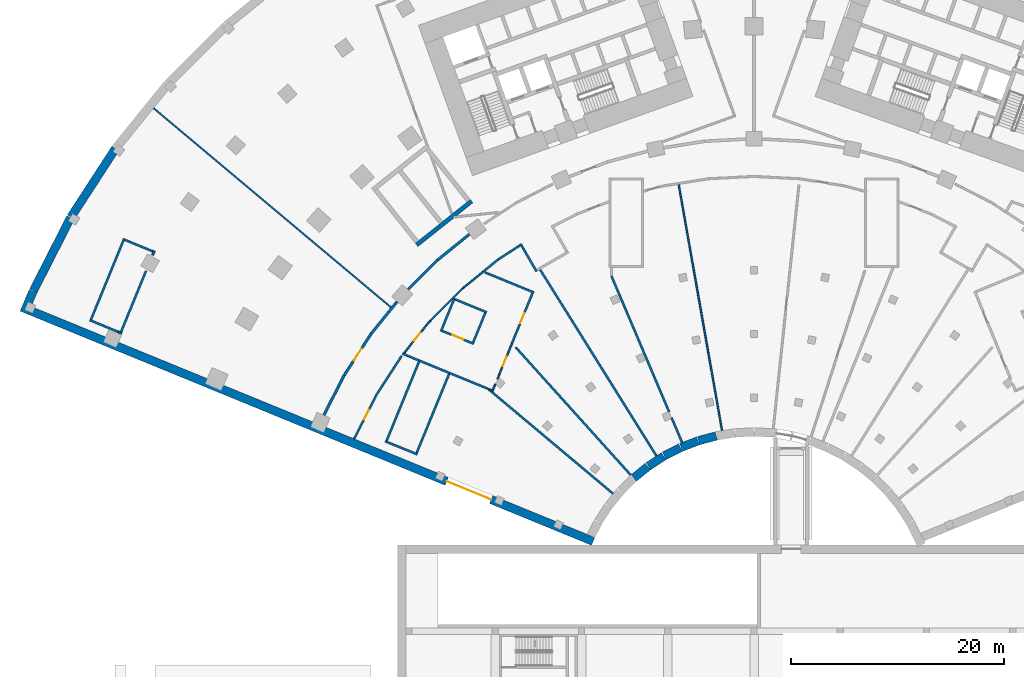
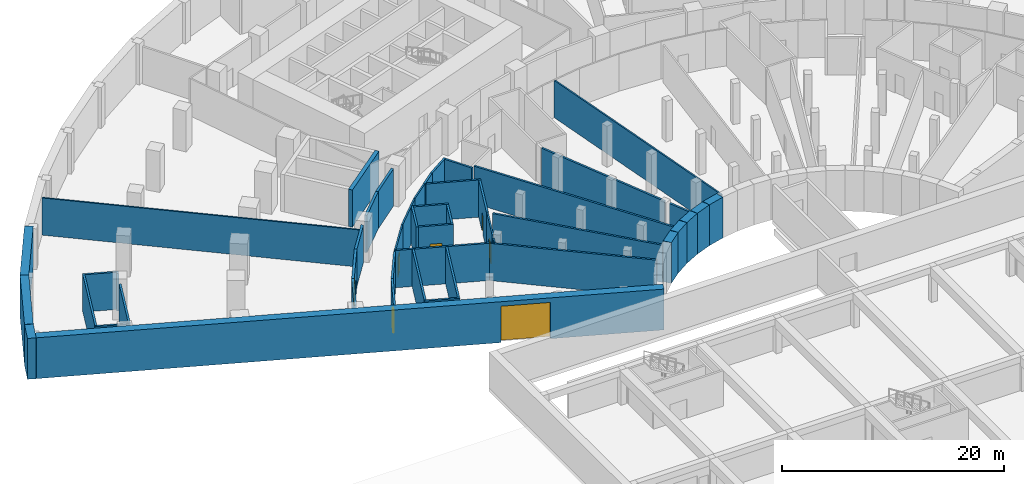
# One storey, part 7 of 23: 51 walls, 7 doors, 7 openings.
"""IFC4 building model written with IfcOpenShell, lengths in metres."""

from ifc_helpers import new_model, si_unit, direction, frame, frame_2d, origin, place, context, subcontext, project, spatial, rectangle, extrude, material, layer, layer_set, type_object, element, fill, save


model = new_model("IFC4")

# Units and contexts
model_context = context("Model", 3, precision=1e-05, world=origin(), true_north=direction((0.0, 1.0)))
body_context = subcontext(model_context, "Body", "Model", "MODEL_VIEW")
ifc_project = project(units=[si_unit("LENGTHUNIT", "METRE"), si_unit("AREAUNIT", "SQUARE_METRE"), si_unit("VOLUMEUNIT", "CUBIC_METRE"), si_unit("PLANEANGLEUNIT", "RADIAN"), si_unit("MASSUNIT", "GRAM", prefix="KILO")], contexts=[model_context])

# Site, building, storey
site_placement = place(None, origin())
site = spatial("IfcSite", under=ifc_project, at=site_placement, CompositionType="ELEMENT")
building_placement = place(site_placement, origin())
building = spatial("IfcBuilding", under=site, at=building_placement, Name="Stone Belt Terrace Tower", CompositionType="ELEMENT")
storey_placement = place(building_placement, frame((0.0, 0.0, -4.5)))
storey = spatial("IfcBuildingStorey", under=building, at=storey_placement, Name="B1", CompositionType="ELEMENT", Elevation=-4.5)

# Walls
ifc_material_1 = material(Name="Concrete B30", Category="concrete")
ifc_layer_1 = layer(ifc_material_1, 0.800048828125)
ifc_layer_set_1 = layer_set([ifc_layer_1], Name="Basement wall 800 B30")
wall_type_1 = type_object("IfcWallType", Name="Basement wall 800 B30", PredefinedType="SHEAR", material=ifc_layer_set_1)
for number, where, z_axis, x_axis, name in (
    (1, (-11.29248046875, 12.57275390625, 0.0), (0.0, 0.0, 1.0), (0.777159277127, 0.629303947211, 0.0), "Basement wall B1 5"),
    (2, (-9.916259765625, 13.68408203125, 0.0), (0.0, 0.0, 1.0), (0.83855986691, 0.544809461745, 0.0), "Basement wall B1 6"),
    (3, (-8.431640625, 14.645751953125, 0.0), (0.0, 0.0, 1.0), (0.890980157198, 0.454042244157, 0.0), "Basement wall B1 7"),
    (4, (-6.8544921875, 15.447021484375, 0.0), (0.0, 0.0, 1.0), (0.933582227874, 0.358363256763, 0.0), "Basement wall B1 8"),
    (5, (-5.202392578125, 16.078857421875, 0.0), (0.0, 0.0, 1.0), (0.965922180197, 0.258832652121, 0.0), "Basement wall B1 9"),
):
    element("IfcWall", number, at=place(storey_placement, frame(where, z_axis=z_axis, x_axis=x_axis)), inside=storey, type_object=wall_type_1, Name=name, PredefinedType="SHEAR", context=body_context, shape_type="SweptSolid", body=[
        extrude(rectangle(XDim=1.72705078125, YDim=0.800048828125, at=frame_2d((0.863525390625, 0.0))), origin(), (0.0, 0.0, 1.0), 4.5),
    ])
wall_1_placement = place(storey_placement, frame((-59.958984375, 43.537109375, 0.0), z_axis=(0.0, 0.0, 1.0), x_axis=(-0.544654589696, -0.838660466412, 0.0)))
element("IfcWall", 6, at=wall_1_placement, inside=storey, type_object=wall_type_1, Name="Basement wall B1 45", PredefinedType="SHEAR", context=body_context, shape_type="SweptSolid", body=[
    extrude(rectangle(XDim=7.71435546875, YDim=0.800048828125, at=frame_2d((3.857177734375, 0.0))), origin(), (0.0, 0.0, 1.0), 4.5),
])
wall_2_placement = place(storey_placement, frame((-64.181396484375, 37.031005859375, 0.0), z_axis=(0.0, 0.0, 1.0), x_axis=(-0.453998176185, -0.891002612803, 0.0)))
element("IfcWall", 7, at=wall_2_placement, inside=storey, type_object=wall_type_1, Name="Basement wall B1 46", PredefinedType="SHEAR", context=body_context, shape_type="SweptSolid", body=[
    extrude(rectangle(XDim=7.729248046875, YDim=0.800048828125, at=frame_2d((3.86474609375, 0.0))), origin(), (0.0, 0.0, 1.0), 4.5),
])
wall_3_placement = place(storey_placement, frame((-67.701904296875, 30.119873046875, 0.0), z_axis=(0.0, 0.0, 1.0), x_axis=(-0.39301958046, -0.919530102485, 0.0)))
element("IfcWall", 8, at=wall_3_placement, inside=storey, type_object=wall_type_1, Name="Basement wall B1 47", PredefinedType="SHEAR", context=body_context, shape_type="SweptSolid", body=[
    extrude(rectangle(XDim=2.194580078125, YDim=0.800048828125, at=frame_2d((1.09716796875, 0.0))), origin(), (0.0, 0.0, 1.0), 4.5),
])

# Wall, opening, door
wall_4_placement = place(storey_placement, frame((-68.037109375, 28.318115234375, 0.0), z_axis=(0.0, 0.0, 1.0), x_axis=(0.925297576328, -0.37924186905, 0.0)))
wall_4 = element("IfcWall", 9, at=wall_4_placement, inside=storey, type_object=wall_type_1, Name="Basement wall B1 48", PredefinedType="SHEAR", context=body_context, shape_type="SweptSolid", body=[
    extrude(rectangle(XDim=57.199951171875, YDim=0.800048828125, at=frame_2d((28.60009765625, 0.0))), origin(), (0.0, 0.0, 1.0), 4.5),
])
opening_1_placement = place(wall_4_placement, frame((42.343994140625, 0.0, 0.0)))
opening_1 = element("IfcOpeningElement", 10, at=opening_1_placement, cuts=wall_4, Name="Opening B1-E01", PredefinedType="OPENING", context=body_context, shape_type="SweptSolid", body=[
    extrude(rectangle(XDim=4.5, YDim=4.0, at=frame_2d((2.25, 2.0))), frame((0.0, 0.409912109375, 0.0), z_axis=(0.0, -1.0, 0.0), x_axis=(1.0, 0.0, 0.0)), (0.0, 0.0, 1.0), 0.820068359375),
])
ifc_material_2 = material(Name="Galvanised steel roller shutter", Category="steel")
door_type_1 = type_object("IfcDoorType", Name="Loading dock vehicle door 4500 x 4000", OperationType="ROLLINGUP", PredefinedType="DOOR", material=ifc_material_2)
door_1_placement = place(opening_1_placement, origin())
door_1 = element("IfcDoor", 11, at=door_1_placement, inside=storey, type_object=door_type_1, Name="Loading dock vehicle door", OperationType="ROLLINGUP", OverallHeight=4.0, OverallWidth=4.5, PredefinedType="DOOR", context=body_context, shape_type="SweptSolid", body=[
    extrude(rectangle(XDim=4.5, YDim=4.0, at=frame_2d((2.25, 2.0))), frame((0.0, 0.02490234375, 0.0), z_axis=(0.0, -1.0, 0.0), x_axis=(1.0, 0.0, 0.0)), (0.0, 0.0, 1.0), 0.050048828125),
])
fill(opening_1, door_1)

# Wall
ifc_layer_2 = layer(ifc_material_1, 0.25)
ifc_layer_set_2 = layer_set([ifc_layer_2], Name="Compartment wall 250")
wall_type_2 = type_object("IfcWallType", Name="Compartment wall 250", PredefinedType="SOLIDWALL", material=ifc_layer_set_2)
wall_5_placement = place(storey_placement, frame((-40.39208984375, 18.488037109375, 0.0), z_axis=(0.0, 0.0, 1.0), x_axis=(0.454112038916, 0.890944586443, 0.0)))
element("IfcWall", 12, at=wall_5_placement, inside=storey, type_object=wall_type_2, Name="Compartment wall B1 1", PredefinedType="SOLIDWALL", context=body_context, shape_type="SweptSolid", body=[
    extrude(rectangle(XDim=4.18212890625, YDim=0.25, at=frame_2d((2.091064453125, 0.0))), origin(), (0.0, 0.0, 1.0), 4.10009765625),
])

# Wall, opening, door
wall_6_placement = place(storey_placement, frame((-38.486572265625, 22.2255859375, 0.0), z_axis=(0.0, 0.0, 1.0), x_axis=(0.544253220019, 0.838920993002, 0.0)))
wall_6 = element("IfcWall", 13, at=wall_6_placement, inside=storey, type_object=wall_type_2, Name="Compartment wall B1 2", PredefinedType="SOLIDWALL", context=body_context, shape_type="SweptSolid", body=[
    extrude(rectangle(XDim=4.635498046875, YDim=0.25, at=frame_2d((2.31787109375, 0.0))), origin(), (0.0, 0.0, 1.0), 4.10009765625),
])
opening_2_placement = place(wall_6_placement, frame((1.667724609375, 0.0, 0.0)))
opening_2 = element("IfcOpeningElement", 14, at=opening_2_placement, cuts=wall_6, Name="Opening B1-P14", PredefinedType="OPENING", context=body_context, shape_type="SweptSolid", body=[
    extrude(rectangle(XDim=1.300048828125, YDim=2.10009765625, at=frame_2d((0.64990234375, 1.050048828125))), frame((0.0, 0.135009765625, 0.0), z_axis=(0.0, -1.0, 0.0), x_axis=(1.0, 0.0, 0.0)), (0.0, 0.0, 1.0), 0.27001953125),
])
ifc_material_3 = material(Name="Steel framed fire door leaf", Category="steel")
door_type_2 = type_object("IfcDoorType", Name="Fire door 1300 x 2100 EI 60", OperationType="SINGLE_SWING_LEFT", PredefinedType="DOOR", material=ifc_material_3)
door_2_placement = place(opening_2_placement, origin())
door_2 = element("IfcDoor", 15, at=door_2_placement, inside=storey, type_object=door_type_2, Name="Fire door 1300 x 2100 EI 60", OperationType="SINGLE_SWING_LEFT", OverallHeight=2.10009765625, OverallWidth=1.300048828125, PredefinedType="DOOR", context=body_context, shape_type="SweptSolid", body=[
    extrude(rectangle(XDim=1.300048828125, YDim=2.10009765625, at=frame_2d((0.64990234375, 1.050048828125))), frame((0.0, 0.02490234375, 0.0), z_axis=(0.0, -1.0, 0.0), x_axis=(1.0, 0.0, 0.0)), (0.0, 0.0, 1.0), 0.050048828125),
])
fill(opening_2, door_2)

# Walls
wall_7_placement = place(storey_placement, frame((-35.955810546875, 26.125, 0.0), z_axis=(0.0, 0.0, 1.0), x_axis=(0.629104116974, 0.777321046934, 0.0)))
element("IfcWall", 16, at=wall_7_placement, inside=storey, type_object=wall_type_2, Name="Compartment wall B1 3", PredefinedType="SOLIDWALL", context=body_context, shape_type="SweptSolid", body=[
    extrude(rectangle(XDim=3.880859375, YDim=0.25, at=frame_2d((1.9404296875, 0.0))), origin(), (0.0, 0.0, 1.0), 4.10009765625),
])
wall_8_placement = place(storey_placement, frame((-32.4853515625, 30.28466796875, 0.0), z_axis=(0.0, 0.0, 1.0), x_axis=(0.707106781187, 0.707106781187, 0.0)))
element("IfcWall", 17, at=wall_8_placement, inside=storey, type_object=wall_type_2, Name="Compartment wall B1 4", PredefinedType="SOLIDWALL", context=body_context, shape_type="SweptSolid", body=[
    extrude(rectangle(XDim=3.8759765625, YDim=0.25, at=frame_2d((1.93798828125, 0.0))), origin(), (0.0, 0.0, 1.0), 4.10009765625),
])
wall_9_placement = place(storey_placement, frame((-29.73486328125, 33.0341796875, 0.0), z_axis=(0.0, 0.0, 1.0), x_axis=(0.777272744525, 0.629163794746, 0.0)))
element("IfcWall", 18, at=wall_9_placement, inside=storey, type_object=wall_type_2, Name="Compartment wall B1 5", PredefinedType="SOLIDWALL", context=body_context, shape_type="SweptSolid", body=[
    extrude(rectangle(XDim=3.875244140625, YDim=0.25, at=frame_2d((1.9375, 0.0))), origin(), (0.0, 0.0, 1.0), 4.10009765625),
])

# Wall, opening, door
ifc_material_4 = material(Name="Blockwork wall, plastered both faces", Category="masonry")
ifc_layer_3 = layer(ifc_material_4, 0.199951171875)
ifc_layer_set_3 = layer_set([ifc_layer_3], Name="Podium demising wall 200")
wall_type_3 = type_object("IfcWallType", Name="Podium demising wall 200", PredefinedType="PARTITIONING", material=ifc_layer_set_3)
wall_10_placement = place(storey_placement, frame((-37.550537109375, 16.264892578125, 0.0), z_axis=(0.0, 0.0, 1.0), x_axis=(0.453666479384, 0.891171546608, 0.0)))
wall_10 = element("IfcWall", 19, at=wall_10_placement, inside=storey, type_object=wall_type_3, Name="Podium demising wall 200", PredefinedType="PARTITIONING", context=body_context, shape_type="SweptSolid", body=[
    extrude(rectangle(XDim=4.682861328125, YDim=0.199951171875, at=frame_2d((2.34130859375, 0.0))), origin(), (0.0, 0.0, 1.0), 4.10009765625),
])
opening_3_placement = place(wall_10_placement, frame((2.03369140625, 0.0, 0.0)))
opening_3 = element("IfcOpeningElement", 20, at=opening_3_placement, cuts=wall_10, Name="Opening B1-P03", PredefinedType="OPENING", context=body_context, shape_type="SweptSolid", body=[
    extrude(rectangle(XDim=1.0, YDim=2.10009765625, at=frame_2d((0.5, 1.050048828125))), frame((0.0, 0.10986328125, 0.0), z_axis=(0.0, -1.0, 0.0), x_axis=(1.0, 0.0, 0.0)), (0.0, 0.0, 1.0), 0.219970703125),
])
ifc_material_5 = material(Name="Steel framed door leaf", Category="steel")
door_type_3 = type_object("IfcDoorType", Name="Podium door single 1000", OperationType="SINGLE_SWING_LEFT", PredefinedType="DOOR", material=ifc_material_5)
door_3_placement = place(opening_3_placement, origin())
door_3 = element("IfcDoor", 21, at=door_3_placement, inside=storey, type_object=door_type_3, Name="Podium door single 1000", OperationType="SINGLE_SWING_LEFT", OverallHeight=2.10009765625, OverallWidth=1.0, PredefinedType="DOOR", context=body_context, shape_type="SweptSolid", body=[
    extrude(rectangle(XDim=1.0, YDim=2.10009765625, at=frame_2d((0.5, 1.050048828125))), frame((0.0, 0.02490234375, 0.0), z_axis=(0.0, -1.0, 0.0), x_axis=(1.0, 0.0, 0.0)), (0.0, 0.0, 1.0), 0.050048828125),
])
fill(opening_3, door_3)

# Walls
wall_11_placement = place(storey_placement, frame((-35.4169921875, 20.454345703125, 0.0), z_axis=(0.0, 0.0, 1.0), x_axis=(0.544379260043, 0.838839210597, 0.0)))
element("IfcWall", 22, at=wall_11_placement, inside=storey, type_object=wall_type_3, Name="Podium demising wall 200", PredefinedType="PARTITIONING", context=body_context, shape_type="SweptSolid", body=[
    extrude(rectangle(XDim=4.27001953125, YDim=0.199951171875, at=frame_2d((2.135009765625, 0.0))), origin(), (0.0, 0.0, 1.0), 4.10009765625),
])
wall_12_placement = place(storey_placement, frame((-33.012451171875, 24.24951171875, 0.0), z_axis=(0.0, 0.0, 1.0), x_axis=(0.925948983582, -0.377648619492, 0.0)))
element("IfcWall", 23, at=wall_12_placement, inside=storey, type_object=wall_type_3, Name="Podium demising wall 200", PredefinedType="PARTITIONING", context=body_context, shape_type="SweptSolid", body=[
    extrude(rectangle(XDim=1.7197265625, YDim=0.199951171875, at=frame_2d((0.85986328125, 0.0))), origin(), (0.0, 0.0, 1.0), 4.10009765625),
])
wall_13_placement = place(storey_placement, frame((-28.599853515625, 22.43994140625, 0.0), z_axis=(0.0, 0.0, 1.0), x_axis=(0.925464063861, -0.378835408194, 0.0)))
element("IfcWall", 24, at=wall_13_placement, inside=storey, type_object=wall_type_3, Name="Podium demising wall 200", PredefinedType="PARTITIONING", context=body_context, shape_type="SweptSolid", body=[
    extrude(rectangle(XDim=3.89501953125, YDim=0.199951171875, at=frame_2d((1.947509765625, 0.0))), origin(), (0.0, 0.0, 1.0), 4.10009765625),
])
wall_14_placement = place(storey_placement, frame((-25.43994140625, 31.949951171875, 0.0), z_axis=(0.0, 0.0, 1.0), x_axis=(0.775387474972, 0.631485758871, 0.0)))
element("IfcWall", 25, at=wall_14_placement, inside=storey, type_object=wall_type_3, Name="Podium demising wall 200", PredefinedType="PARTITIONING", context=body_context, shape_type="SweptSolid", body=[
    extrude(rectangle(XDim=1.800048828125, YDim=0.199951171875, at=frame_2d((0.89990234375, 0.0))), origin(), (0.0, 0.0, 1.0), 4.10009765625),
])
wall_15_placement = place(storey_placement, frame((-25.27587890625, 31.892578125, 0.0), z_axis=(0.0, 0.0, 1.0), x_axis=(0.925168618375, -0.379556356256, 0.0)))
element("IfcWall", 26, at=wall_15_placement, inside=storey, type_object=wall_type_3, Name="Podium demising wall 200", PredefinedType="PARTITIONING", context=body_context, shape_type="SweptSolid", body=[
    extrude(rectangle(XDim=4.981201171875, YDim=0.199951171875, at=frame_2d((2.49072265625, 0.0))), origin(), (0.0, 0.0, 1.0), 4.10009765625),
])
wall_16_placement = place(storey_placement, frame((-24.968505859375, 20.94873046875, 0.0), z_axis=(0.0, 0.0, 1.0), x_axis=(0.766131005008, -0.642684435136, 0.0)))
element("IfcWall", 27, at=wall_16_placement, inside=storey, type_object=wall_type_3, Name="Podium demising wall 200", PredefinedType="PARTITIONING", context=body_context, shape_type="SweptSolid", body=[
    extrude(rectangle(XDim=15.309326171875, YDim=0.199951171875, at=frame_2d((7.65478515625, 0.0))), origin(), (0.0, 0.0, 1.0), 4.10009765625),
])
wall_17_placement = place(storey_placement, frame((-24.035400390625, 33.093017578125, 0.0), z_axis=(0.0, 0.0, 1.0), x_axis=(0.839172316504, 0.543865629741, 0.0)))
element("IfcWall", 28, at=wall_17_placement, inside=storey, type_object=wall_type_3, Name="Podium demising wall 200", PredefinedType="PARTITIONING", context=body_context, shape_type="SweptSolid", body=[
    extrude(rectangle(XDim=2.668701171875, YDim=0.199951171875, at=frame_2d((1.33447265625, 0.0))), origin(), (0.0, 0.0, 1.0), 4.10009765625),
])

# Wall, opening, door
wall_18_placement = place(storey_placement, frame((-22.72998046875, 25.22998046875, 0.0), z_axis=(0.0, 0.0, 1.0), x_axis=(0.379007634194, 0.925393545051, 0.0)))
wall_18 = element("IfcWall", 29, at=wall_18_placement, inside=storey, type_object=wall_type_3, Name="Podium demising wall 200", PredefinedType="PARTITIONING", context=body_context, shape_type="SweptSolid", body=[
    extrude(rectangle(XDim=5.097900390625, YDim=0.199951171875, at=frame_2d((2.548828125, 0.0))), origin(), (0.0, 0.0, 1.0), 4.10009765625),
])
opening_4_placement = place(wall_18_placement, frame((2.048828125, 0.0, 0.0)))
opening_4 = element("IfcOpeningElement", 30, at=opening_4_placement, cuts=wall_18, Name="Opening B1-P05", PredefinedType="OPENING", context=body_context, shape_type="SweptSolid", body=[
    extrude(rectangle(XDim=1.0, YDim=2.10009765625, at=frame_2d((0.5, 1.050048828125))), frame((0.0, 0.10986328125, 0.0), z_axis=(0.0, -1.0, 0.0), x_axis=(1.0, 0.0, 0.0)), (0.0, 0.0, 1.0), 0.219970703125),
])
door_4_placement = place(opening_4_placement, origin())
door_4 = element("IfcDoor", 31, at=door_4_placement, inside=storey, type_object=door_type_3, Name="Podium door single 1000", OperationType="SINGLE_SWING_LEFT", OverallHeight=2.10009765625, OverallWidth=1.0, PredefinedType="DOOR", context=body_context, shape_type="SweptSolid", body=[
    extrude(rectangle(XDim=1.0, YDim=2.10009765625, at=frame_2d((0.5, 1.050048828125))), frame((0.0, 0.02490234375, 0.0), z_axis=(0.0, -1.0, 0.0), x_axis=(1.0, 0.0, 0.0)), (0.0, 0.0, 1.0), 0.050048828125),
])
fill(opening_4, door_4)

# Walls
wall_19_placement = place(storey_placement, frame((-22.382080078125, 24.853515625, 0.0), z_axis=(0.0, 0.0, 1.0), x_axis=(0.669233682488, -0.743052002368, 0.0)))
element("IfcWall", 32, at=wall_19_placement, inside=storey, type_object=wall_type_3, Name="Podium demising wall 200", PredefinedType="PARTITIONING", context=body_context, shape_type="SweptSolid", body=[
    extrude(rectangle(XDim=16.146240234375, YDim=0.199951171875, at=frame_2d((8.0732421875, 0.0))), origin(), (0.0, 0.0, 1.0), 4.10009765625),
])
wall_20_placement = place(storey_placement, frame((-21.829833984375, 34.4033203125, 0.0), z_axis=(0.0, 0.0, 1.0), x_axis=(0.501865045167, -0.864945938449, 0.0)))
element("IfcWall", 33, at=wall_20_placement, inside=storey, type_object=wall_type_3, Name="Podium demising wall 200", PredefinedType="PARTITIONING", context=body_context, shape_type="SweptSolid", body=[
    extrude(rectangle(XDim=2.809326171875, YDim=0.199951171875, at=frame_2d((1.40478515625, 0.0))), origin(), (0.0, 0.0, 1.0), 4.10009765625),
])
wall_21_placement = place(storey_placement, frame((-20.094970703125, 32.15185546875, 0.0), z_axis=(0.0, 0.0, 1.0), x_axis=(0.529869175638, -0.848079392928, 0.0)))
element("IfcWall", 34, at=wall_21_placement, inside=storey, type_object=wall_type_3, Name="Podium demising wall 200", PredefinedType="PARTITIONING", context=body_context, shape_type="SweptSolid", body=[
    extrude(rectangle(XDim=20.633056640625, YDim=0.199951171875, at=frame_2d((10.31640625, 0.0))), origin(), (0.0, 0.0, 1.0), 4.10009765625),
])
wall_22_placement = place(storey_placement, frame((-13.39208984375, 31.55126953125, 0.0), z_axis=(0.0, 0.0, 1.0), x_axis=(0.39086466014, -0.920448161198, 0.0)))
element("IfcWall", 35, at=wall_22_placement, inside=storey, type_object=wall_type_3, Name="Podium demising wall 200", PredefinedType="PARTITIONING", context=body_context, shape_type="SweptSolid", body=[
    extrude(rectangle(XDim=13.900146484375, YDim=0.199951171875, at=frame_2d((6.9501953125, 0.0))), origin(), (0.0, 0.0, 1.0), 4.10009765625),
])
wall_23_placement = place(storey_placement, frame((-7.7412109375, 18.244140625, 0.0), z_axis=(0.0, 0.0, 1.0), x_axis=(0.390872507391, -0.920444828855, 0.0)))
element("IfcWall", 36, at=wall_23_placement, inside=storey, type_object=wall_type_3, Name="Podium demising wall 200", PredefinedType="PARTITIONING", context=body_context, shape_type="SweptSolid", body=[
    extrude(rectangle(XDim=2.52587890625, YDim=0.199951171875, at=frame_2d((1.262939453125, 0.0))), origin(), (0.0, 0.0, 1.0), 4.10009765625),
])
ifc_material_6 = material(Name="Reinforced blockwork wall, plastered both faces", Category="masonry")
ifc_layer_4 = layer(ifc_material_6, 0.199951171875)
ifc_layer_set_4 = layer_set([ifc_layer_4], Name="Podium lift shaft wall 200")
wall_type_4 = type_object("IfcWallType", Name="Podium lift shaft wall 200", PredefinedType="SOLIDWALL", material=ifc_layer_set_4)
wall_24_placement = place(storey_placement, frame((-29.40771484375, 26.33740234375, 0.0), z_axis=(0.0, 0.0, 1.0), x_axis=(0.378305478066, 0.925680811762, 0.0)))
element("IfcWall", 37, at=wall_24_placement, inside=storey, type_object=wall_type_4, Name="Podium lift shaft wall 200", PredefinedType="SOLIDWALL", context=body_context, shape_type="SweptSolid", body=[
    extrude(rectangle(XDim=3.397705078125, YDim=0.199951171875, at=frame_2d((1.69873046875, 0.0))), origin(), (0.0, 0.0, 1.0), 4.10009765625),
])

# Wall, opening, door
wall_25_placement = place(storey_placement, frame((-29.27734375, 26.39208984375, 0.0), z_axis=(0.0, 0.0, 1.0), x_axis=(0.92564908085, -0.378383111571, 0.0)))
wall_25 = element("IfcWall", 38, at=wall_25_placement, inside=storey, type_object=wall_type_4, Name="Podium lift shaft wall 200", PredefinedType="SOLIDWALL", context=body_context, shape_type="SweptSolid", body=[
    extrude(rectangle(XDim=3.19775390625, YDim=0.199951171875, at=frame_2d((1.598876953125, 0.0))), origin(), (0.0, 0.0, 1.0), 4.10009765625),
])
opening_5_placement = place(wall_25_placement, frame((1.048828125, 0.0, 0.0)))
opening_5 = element("IfcOpeningElement", 39, at=opening_5_placement, cuts=wall_25, Name="Opening B1-P01", PredefinedType="OPENING", context=body_context, shape_type="SweptSolid", body=[
    extrude(rectangle(XDim=1.10009765625, YDim=2.10009765625, at=frame_2d((0.550048828125, 1.050048828125))), frame((0.0, 0.10986328125, 0.0), z_axis=(0.0, -1.0, 0.0), x_axis=(1.0, 0.0, 0.0)), (0.0, 0.0, 1.0), 0.219970703125),
])
ifc_material_7 = material(Name="Stainless steel sliding landing door leaf", Category="steel")
door_type_4 = type_object("IfcDoorType", Name="Podium landing door 1100", OperationType="SLIDING_TO_LEFT", PredefinedType="DOOR", material=ifc_material_7)
door_5_placement = place(opening_5_placement, origin())
door_5 = element("IfcDoor", 40, at=door_5_placement, inside=storey, type_object=door_type_4, Name="Podium landing door 1100", OperationType="SLIDING_TO_LEFT", OverallHeight=2.10009765625, OverallWidth=1.10009765625, PredefinedType="DOOR", context=body_context, shape_type="SweptSolid", body=[
    extrude(rectangle(XDim=1.10009765625, YDim=2.10009765625, at=frame_2d((0.550048828125, 1.050048828125))), frame((0.0, 0.02490234375, 0.0), z_axis=(0.0, -1.0, 0.0), x_axis=(1.0, 0.0, 0.0)), (0.0, 0.0, 1.0), 0.050048828125),
])
fill(opening_5, door_5)

# Walls
wall_26_placement = place(storey_placement, frame((-28.0673828125, 29.352294921875, 0.0), z_axis=(0.0, 0.0, 1.0), x_axis=(0.925622338254, -0.378448526124, 0.0)))
element("IfcWall", 41, at=wall_26_placement, inside=storey, type_object=wall_type_4, Name="Podium lift shaft wall 200", PredefinedType="SOLIDWALL", context=body_context, shape_type="SweptSolid", body=[
    extrude(rectangle(XDim=3.19775390625, YDim=0.199951171875, at=frame_2d((1.598876953125, 0.0))), origin(), (0.0, 0.0, 1.0), 4.10009765625),
])
wall_27_placement = place(storey_placement, frame((-26.372314453125, 25.3125, 0.0), z_axis=(0.0, 0.0, 1.0), x_axis=(0.378442575395, 0.925624771237, 0.0)))
element("IfcWall", 42, at=wall_27_placement, inside=storey, type_object=wall_type_4, Name="Podium lift shaft wall 200", PredefinedType="SOLIDWALL", context=body_context, shape_type="SweptSolid", body=[
    extrude(rectangle(XDim=2.997802734375, YDim=0.199951171875, at=frame_2d((1.4990234375, 0.0))), origin(), (0.0, 0.0, 1.0), 4.10009765625),
])
ifc_material_8 = material(Name="Gypsum board on steel stud partition", Category="steel")
ifc_layer_5 = layer(ifc_material_8, 0.14990234375)
ifc_layer_set_5 = layer_set([ifc_layer_5], Name="Podium partition 150")
wall_type_5 = type_object("IfcWallType", Name="Podium partition 150", PredefinedType="PARTITIONING", material=ifc_layer_set_5)
wall_28_placement = place(storey_placement, frame((-56.389892578125, 47.31005859375, 0.0), z_axis=(0.0, 0.0, 1.0), x_axis=(0.766136220647, -0.642678217627, 0.0)))
element("IfcWall", 43, at=wall_28_placement, inside=storey, type_object=wall_type_5, Name="Podium partition 150", PredefinedType="PARTITIONING", context=body_context, shape_type="SweptSolid", body=[
    extrude(rectangle(XDim=29.08935546875, YDim=0.14990234375, at=frame_2d((14.544677734375, 0.0))), origin(), (0.0, 0.0, 1.0), 4.10009765625),
])

# Wall, opening, door
wall_29_placement = place(storey_placement, frame((-32.8603515625, 24.318359375, 0.0), z_axis=(0.0, 0.0, 1.0), x_axis=(0.62917853157, 0.777260815564, 0.0)))
wall_29 = element("IfcWall", 44, at=wall_29_placement, inside=storey, type_object=wall_type_5, Name="Podium partition 150", PredefinedType="PARTITIONING", context=body_context, shape_type="SweptSolid", body=[
    extrude(rectangle(XDim=3.922119140625, YDim=0.14990234375, at=frame_2d((1.9609375, 0.0))), origin(), (0.0, 0.0, 1.0), 4.10009765625),
])
opening_6_placement = place(wall_29_placement, frame((1.4501953125, 0.0, 0.0)))
opening_6 = element("IfcOpeningElement", 45, at=opening_6_placement, cuts=wall_29, Name="Opening B1-P24", PredefinedType="OPENING", context=body_context, shape_type="SweptSolid", body=[
    extrude(rectangle(XDim=1.0, YDim=2.10009765625, at=frame_2d((0.5, 1.050048828125))), frame((0.0, 0.0849609375, 0.0), z_axis=(0.0, -1.0, 0.0), x_axis=(1.0, 0.0, 0.0)), (0.0, 0.0, 1.0), 0.169921875),
])
door_6_placement = place(opening_6_placement, origin())
door_6 = element("IfcDoor", 46, at=door_6_placement, inside=storey, type_object=door_type_3, Name="Podium door single 1000", OperationType="SINGLE_SWING_RIGHT", OverallHeight=2.10009765625, OverallWidth=1.0, PredefinedType="DOOR", context=body_context, shape_type="SweptSolid", body=[
    extrude(rectangle(XDim=1.0, YDim=2.10009765625, at=frame_2d((0.5, 1.050048828125))), frame((0.0, 0.02490234375, 0.0), z_axis=(0.0, -1.0, 0.0), x_axis=(1.0, 0.0, 0.0)), (0.0, 0.0, 1.0), 0.050048828125),
])
fill(opening_6, door_6)

# Walls
wall_30_placement = place(storey_placement, frame((-30.38720703125, 27.372802734375, 0.0), z_axis=(0.0, 0.0, 1.0), x_axis=(0.707106781187, 0.707106781187, 0.0)))
element("IfcWall", 47, at=wall_30_placement, inside=storey, type_object=wall_type_5, Name="Podium partition 150", PredefinedType="PARTITIONING", context=body_context, shape_type="SweptSolid", body=[
    extrude(rectangle(XDim=4.262939453125, YDim=0.14990234375, at=frame_2d((2.13134765625, 0.0))), origin(), (0.0, 0.0, 1.0), 4.10009765625),
])
wall_31_placement = place(storey_placement, frame((-27.366943359375, 30.392333984375, 0.0), z_axis=(0.0, 0.0, 1.0), x_axis=(0.775724769036, 0.631071376869, 0.0)))
element("IfcWall", 48, at=wall_31_placement, inside=storey, type_object=wall_type_5, Name="Podium partition 150", PredefinedType="PARTITIONING", context=body_context, shape_type="SweptSolid", body=[
    extrude(rectangle(XDim=2.475830078125, YDim=0.14990234375, at=frame_2d((1.23779296875, 0.0))), origin(), (0.0, 0.0, 1.0), 4.10009765625),
])
wall_32_placement = place(storey_placement, frame((-24.95947265625, 20.951416015625, 0.0), z_axis=(0.0, 0.0, 1.0), x_axis=(0.922421505079, -0.386184628083, 0.0)))
element("IfcWall", 49, at=wall_32_placement, inside=storey, type_object=wall_type_5, Name="Podium partition 150", PredefinedType="PARTITIONING", context=body_context, shape_type="SweptSolid", body=[
    extrude(rectangle(XDim=0.51904296875, YDim=0.14990234375, at=frame_2d((0.259521484375, 0.0))), origin(), (0.0, 0.0, 1.0), 4.10009765625),
])
wall_33_placement = place(storey_placement, frame((-24.521484375, 20.849365234375, 0.0), z_axis=(0.0, 0.0, 1.0), x_axis=(0.379710507971, 0.925105361641, 0.0)))
element("IfcWall", 50, at=wall_33_placement, inside=storey, type_object=wall_type_5, Name="Podium partition 150", PredefinedType="PARTITIONING", context=body_context, shape_type="SweptSolid", body=[
    extrude(rectangle(XDim=0.5908203125, YDim=0.14990234375, at=frame_2d((0.29541015625, 0.0))), origin(), (0.0, 0.0, 1.0), 4.10009765625),
])

# Wall, opening, door
wall_34_placement = place(storey_placement, frame((-24.111572265625, 21.848876953125, 0.0), z_axis=(0.0, 0.0, 1.0), x_axis=(0.379629723962, 0.925138515404, 0.0)))
wall_34 = element("IfcWall", 51, at=wall_34_placement, inside=storey, type_object=wall_type_5, Name="Podium partition 150", PredefinedType="PARTITIONING", context=body_context, shape_type="SweptSolid", body=[
    extrude(rectangle(XDim=3.651611328125, YDim=0.14990234375, at=frame_2d((1.82568359375, 0.0))), origin(), (0.0, 0.0, 1.0), 4.10009765625),
])
opening_7_placement = place(wall_34_placement, frame((1.332763671875, 0.0, 0.0)))
opening_7 = element("IfcOpeningElement", 52, at=opening_7_placement, cuts=wall_34, Name="Opening B1-P04", PredefinedType="OPENING", context=body_context, shape_type="SweptSolid", body=[
    extrude(rectangle(XDim=1.0, YDim=2.10009765625, at=frame_2d((0.5, 1.050048828125))), frame((0.0, 0.0849609375, 0.0), z_axis=(0.0, -1.0, 0.0), x_axis=(1.0, 0.0, 0.0)), (0.0, 0.0, 1.0), 0.169921875),
])
door_7_placement = place(opening_7_placement, origin())
door_7 = element("IfcDoor", 53, at=door_7_placement, inside=storey, type_object=door_type_3, Name="Podium door single 1000", OperationType="SINGLE_SWING_RIGHT", OverallHeight=2.10009765625, OverallWidth=1.0, PredefinedType="DOOR", context=body_context, shape_type="SweptSolid", body=[
    extrude(rectangle(XDim=1.0, YDim=2.10009765625, at=frame_2d((0.5, 1.050048828125))), frame((0.0, 0.02490234375, 0.0), z_axis=(0.0, -1.0, 0.0), x_axis=(1.0, 0.0, 0.0)), (0.0, 0.0, 1.0), 0.050048828125),
])
fill(opening_7, door_7)

# Walls
wall_35_placement = place(storey_placement, frame((-7.076904296875, 40.156005859375, 0.0), z_axis=(0.0, 0.0, 1.0), x_axis=(0.17354107456, -0.984826632175, 0.0)))
element("IfcWall", 54, at=wall_35_placement, inside=storey, type_object=wall_type_5, Name="Podium partition 150", PredefinedType="PARTITIONING", context=body_context, shape_type="SweptSolid", body=[
    extrude(rectangle(XDim=23.492431640625, YDim=0.14990234375, at=frame_2d((11.74609375, 0.0))), origin(), (0.0, 0.0, 1.0), 4.10009765625),
])
ifc_layer_6 = layer(ifc_material_1, 0.199951171875)
ifc_layer_set_6 = layer_set([ifc_layer_6], Name="Podium stair and shaft wall 200")
wall_type_6 = type_object("IfcWallType", Name="Podium stair and shaft wall 200", PredefinedType="SOLIDWALL", material=ifc_layer_set_6)
wall_36_placement = place(storey_placement, frame((-62.392578125, 27.407958984375, 0.0), z_axis=(0.0, 0.0, 1.0), x_axis=(0.924848362186, -0.380336044783, 0.0)))
element("IfcWall", 55, at=wall_36_placement, inside=storey, type_object=wall_type_6, Name="Podium stair and shaft wall 200", PredefinedType="SOLIDWALL", context=body_context, shape_type="SweptSolid", body=[
    extrude(rectangle(XDim=2.87890625, YDim=0.199951171875, at=frame_2d((1.439453125, 0.0))), origin(), (0.0, 0.0, 1.0), 4.10009765625),
])
wall_37_placement = place(storey_placement, frame((-59.72998046875, 26.31298828125, 0.0), z_axis=(0.0, 0.0, 1.0), x_axis=(0.924841834944, -0.380351916438, 0.0)))
element("IfcWall", 56, at=wall_37_placement, inside=storey, type_object=wall_type_6, Name="Podium stair and shaft wall 200", PredefinedType="SOLIDWALL", context=body_context, shape_type="SweptSolid", body=[
    extrude(rectangle(XDim=0.370361328125, YDim=0.199951171875, at=frame_2d((0.18505859375, 0.0))), origin(), (0.0, 0.0, 1.0), 4.10009765625),
])
wall_38_placement = place(storey_placement, frame((-62.26220703125, 27.46240234375, 0.0), z_axis=(0.0, 0.0, 1.0), x_axis=(0.379350485872, 0.925253051261, 0.0)))
element("IfcWall", 57, at=wall_38_placement, inside=storey, type_object=wall_type_6, Name="Podium stair and shaft wall 200", PredefinedType="SOLIDWALL", context=body_context, shape_type="SweptSolid", body=[
    extrude(rectangle(XDim=8.224853515625, YDim=0.199951171875, at=frame_2d((4.1123046875, 0.0))), origin(), (0.0, 0.0, 1.0), 4.10009765625),
])
wall_39_placement = place(storey_placement, frame((-59.442138671875, 26.302490234375, 0.0), z_axis=(0.0, 0.0, 1.0), x_axis=(0.37933470683, 0.925259520456, 0.0)))
element("IfcWall", 58, at=wall_39_placement, inside=storey, type_object=wall_type_6, Name="Podium stair and shaft wall 200", PredefinedType="SOLIDWALL", context=body_context, shape_type="SweptSolid", body=[
    extrude(rectangle(XDim=6.18896484375, YDim=0.199951171875, at=frame_2d((3.094482421875, 0.0))), origin(), (0.0, 0.0, 1.0), 4.10009765625),
])
wall_40_placement = place(storey_placement, frame((-56.48291015625, 33.5205078125, 0.0), z_axis=(0.0, 0.0, 1.0), x_axis=(0.379619568947, 0.92514268244, 0.0)))
element("IfcWall", 59, at=wall_40_placement, inside=storey, type_object=wall_type_6, Name="Podium stair and shaft wall 200", PredefinedType="SOLIDWALL", context=body_context, shape_type="SweptSolid", body=[
    extrude(rectangle(XDim=0.423828125, YDim=0.199951171875, at=frame_2d((0.2119140625, 0.0))), origin(), (0.0, 0.0, 1.0), 4.10009765625),
])
wall_41_placement = place(storey_placement, frame((-59.08740234375, 34.94189453125, 0.0), z_axis=(0.0, 0.0, 1.0), x_axis=(0.924804041084, -0.380443800835, 0.0)))
element("IfcWall", 60, at=wall_41_placement, inside=storey, type_object=wall_type_6, Name="Podium stair and shaft wall 200", PredefinedType="SOLIDWALL", context=body_context, shape_type="SweptSolid", body=[
    extrude(rectangle(XDim=2.849365234375, YDim=0.199951171875, at=frame_2d((1.4248046875, 0.0))), origin(), (0.0, 0.0, 1.0), 4.10009765625),
])
wall_42_placement = place(storey_placement, frame((-34.632568359375, 16.02783203125, 0.0), z_axis=(0.0, 0.0, 1.0), x_axis=(0.925955033423, -0.377633785668, 0.0)))
element("IfcWall", 61, at=wall_42_placement, inside=storey, type_object=wall_type_6, Name="Podium stair and shaft wall 200", PredefinedType="SOLIDWALL", context=body_context, shape_type="SweptSolid", body=[
    extrude(rectangle(XDim=3.245361328125, YDim=0.199951171875, at=frame_2d((1.62255859375, 0.0))), origin(), (0.0, 0.0, 1.0), 4.10009765625),
])
wall_43_placement = place(storey_placement, frame((-34.502197265625, 16.08251953125, 0.0), z_axis=(0.0, 0.0, 1.0), x_axis=(0.379344686309, 0.925255429041, 0.0)))
element("IfcWall", 62, at=wall_43_placement, inside=storey, type_object=wall_type_6, Name="Podium stair and shaft wall 200", PredefinedType="SOLIDWALL", context=body_context, shape_type="SweptSolid", body=[
    extrude(rectangle(XDim=8.02490234375, YDim=0.199951171875, at=frame_2d((4.012451171875, 0.0))), origin(), (0.0, 0.0, 1.0), 4.10009765625),
])
wall_44_placement = place(storey_placement, frame((-31.681884765625, 14.9326171875, 0.0), z_axis=(0.0, 0.0, 1.0), x_axis=(0.379767590841, 0.925081929856, 0.0)))
element("IfcWall", 63, at=wall_44_placement, inside=storey, type_object=wall_type_6, Name="Podium stair and shaft wall 200", PredefinedType="SOLIDWALL", context=body_context, shape_type="SweptSolid", body=[
    extrude(rectangle(XDim=8.015380859375, YDim=0.199951171875, at=frame_2d((4.0078125, 0.0))), origin(), (0.0, 0.0, 1.0), 4.10009765625),
])
wall_45_placement = place(storey_placement, frame((-31.419921875, 23.599853515625, 0.0), z_axis=(0.0, 0.0, 1.0), x_axis=(0.924815674246, -0.380415521068, 0.0)))
element("IfcWall", 64, at=wall_45_placement, inside=storey, type_object=wall_type_6, Name="Podium stair and shaft wall 200", PredefinedType="SOLIDWALL", context=body_context, shape_type="SweptSolid", body=[
    extrude(rectangle(XDim=3.049072265625, YDim=0.199951171875, at=frame_2d((1.5244140625, 0.0))), origin(), (0.0, 0.0, 1.0), 4.10009765625),
])
ifc_material_9 = material(Name="Concrete B80", Category="concrete")
ifc_layer_7 = layer(ifc_material_9, 0.39990234375)
ifc_layer_set_7 = layer_set([ifc_layer_7], Name="Stair enclosure wall 400")
wall_type_7 = type_object("IfcWallType", Name="Stair enclosure wall 400", PredefinedType="SHEAR", material=ifc_layer_set_7)
wall_46_placement = place(storey_placement, frame((-26.518798828125, 38.58154296875, 0.0), z_axis=(0.0, 0.0, 1.0), x_axis=(-0.782133914161, -0.623110375711, 0.0)))
element("IfcWall", 65, at=wall_46_placement, inside=storey, type_object=wall_type_7, Name="Exit stair ST3A wall base", PredefinedType="SHEAR", context=body_context, shape_type="SweptSolid", body=[
    extrude(rectangle(XDim=6.60009765625, YDim=0.39990234375, at=frame_2d((3.300048828125, 0.0))), origin(), (0.0, 0.0, 1.0), 4.10009765625),
])

save(model, "model.ifc")
